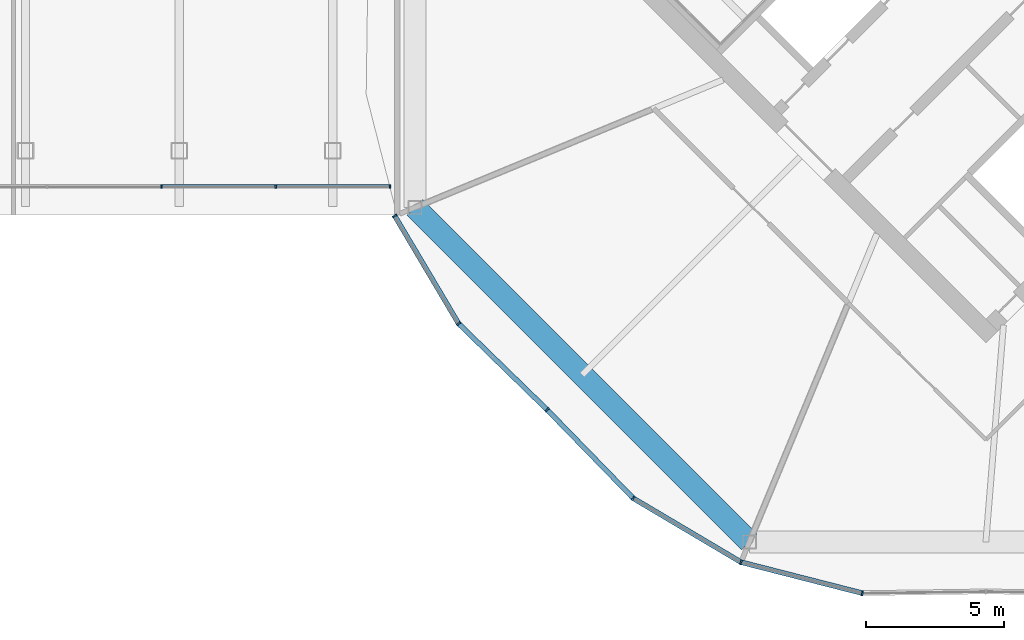
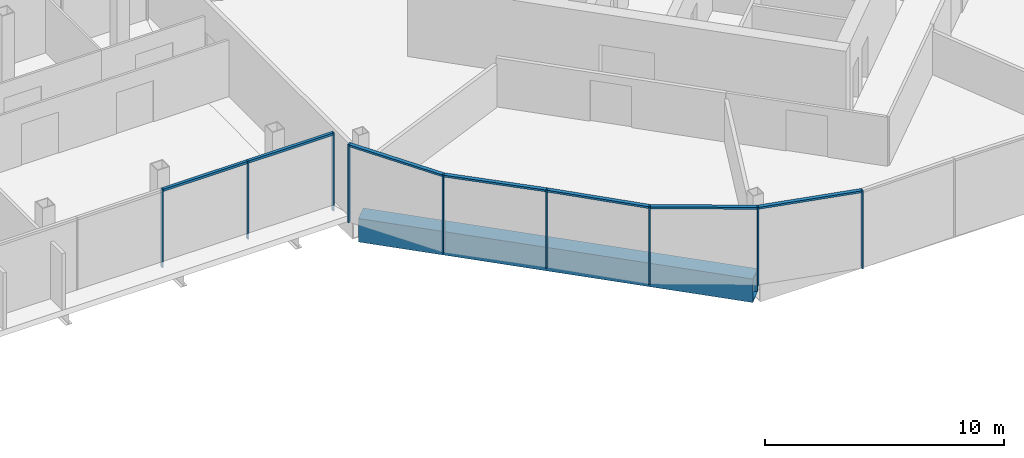
# One storey, part 11 of 26: 16 members, 1 beam, 3 elements without a shape of their own.
"""IFC4 building model written with IfcOpenShell, lengths in metres."""

from ifc_helpers import new_model, si_unit, direction, frame, origin, origin_2d, place, context, subcontext, project, spatial, rectangle, hollow_rectangle, extrude, material, material_profile, profile_set, type_object, element, aggregate, save


model = new_model("IFC4")

# Units and contexts
model_context = context("Model", 3, precision=1e-05, world=origin(), true_north=direction((0.0, 1.0)))
body_context = subcontext(model_context, "Body", "Model", "MODEL_VIEW")
ifc_project = project(units=[si_unit("LENGTHUNIT", "METRE"), si_unit("AREAUNIT", "SQUARE_METRE"), si_unit("VOLUMEUNIT", "CUBIC_METRE"), si_unit("PLANEANGLEUNIT", "RADIAN"), si_unit("MASSUNIT", "GRAM", prefix="KILO")], contexts=[model_context])

# Site, building, storey
site_placement = place(None, origin())
site = spatial("IfcSite", under=ifc_project, at=site_placement, CompositionType="ELEMENT")
building_placement = place(site_placement, origin())
building = spatial("IfcBuilding", under=site, at=building_placement, Name="Ogive Gate Towers", CompositionType="ELEMENT")
storey_placement = place(building_placement, frame((0.0, 0.0, 156.800048828125)))
storey = spatial("IfcBuildingStorey", under=building, at=storey_placement, Name="L37", CompositionType="ELEMENT", Elevation=156.800048828125)

# Beam
ifc_material_1 = material(Name="Steel SM460", Category="steel")
ifc_material_profile_1 = material_profile(ifc_material_1, hollow_rectangle(XDim=0.800048828125, YDim=1.199951171875, WallThickness=0.050048828125, at=origin_2d()), Name="BX 1200x800x50")
ifc_profile_set_1 = profile_set([ifc_material_profile_1], Name="Steel SM460")
beam_type = type_object("IfcBeamType", Name="Edge girder BX 1200x800x50", PredefinedType="BEAM", material=ifc_profile_set_1)
beam_placement = place(storey_placement, frame((15.360595703125, -8.549072265625, -0.900146484375), z_axis=(0.707106781187, -0.707106781187, 0.0), x_axis=(0.707106781187, 0.707106781187, 0.0)))
element("IfcBeam", 1, at=beam_placement, inside=storey, type_object=beam_type, Name="T2/L37/SBM017", PredefinedType="BEAM", context=body_context, shape_type="SweptSolid", body=[
    extrude(hollow_rectangle(XDim=0.800048828125, YDim=1.199951171875, WallThickness=0.050048828125, at=origin_2d()), origin(), (0.0, 0.0, 1.0), 17.098388671875),
])

# Curtain wall, members
ifc_material_2 = material(Name="Pale metal aluminium", Category="aluminium")
curtain_wall_type_1 = type_object("IfcCurtainWallType", Name="Gate block facade", PredefinedType="NOTDEFINED", material=ifc_material_2)
curtain_wall_1_placement = place(storey_placement, origin())
curtain_wall_1 = element("IfcCurtainWall", 2, at=curtain_wall_1_placement, inside=storey, type_object=curtain_wall_type_1, Name="CW3 BR ECW01", PredefinedType="NOTDEFINED")
ifc_material_profile_2 = material_profile(ifc_material_2, rectangle(XDim=0.139892578125, YDim=0.06005859375, at=origin_2d()), Name="60 x 140 aluminium box")
ifc_profile_set_2 = profile_set([ifc_material_profile_2], Name="Pale metal aluminium")
member_type_1 = type_object("IfcMemberType", Name="Gate block facade mullion 60 x 140", PredefinedType="MULLION", material=ifc_profile_set_2)
member_1_placement = place(storey_placement, frame((6.1962890625, -7.787109375, -0.300048828125), z_axis=(0.0, 0.0, 1.0), x_axis=(0.0, -1.0, 0.0)))
member_1 = element("IfcMember", 3, at=member_1_placement, type_object=member_type_1, Name="CW3 mullion", PredefinedType="MULLION", context=body_context, shape_type="SweptSolid", body=[
    extrude(rectangle(XDim=0.139892578125, YDim=0.06005859375, at=origin_2d()), origin(), (0.0, 0.0, 1.0), 4.0),
])
member_2_placement = place(storey_placement, frame((10.327392578125, -7.787109375, -0.300048828125), z_axis=(0.0, 0.0, 1.0), x_axis=(0.0, -1.0, 0.0)))
member_2 = element("IfcMember", 4, at=member_2_placement, type_object=member_type_1, Name="CW3 mullion", PredefinedType="MULLION", context=body_context, shape_type="SweptSolid", body=[
    extrude(rectangle(XDim=0.139892578125, YDim=0.06005859375, at=origin_2d()), origin(), (0.0, 0.0, 1.0), 4.0),
])
member_3_placement = place(storey_placement, frame((14.458251953125, -7.787109375, -0.300048828125), z_axis=(0.0, 0.0, 1.0), x_axis=(0.0, -1.0, 0.0)))
member_3 = element("IfcMember", 5, at=member_3_placement, type_object=member_type_1, Name="CW3 mullion", PredefinedType="MULLION", context=body_context, shape_type="SweptSolid", body=[
    extrude(rectangle(XDim=0.139892578125, YDim=0.06005859375, at=origin_2d()), origin(), (0.0, 0.0, 1.0), 4.0),
])
ifc_material_profile_3 = material_profile(ifc_material_2, rectangle(XDim=0.139892578125, YDim=0.1201171875, at=origin_2d()), Name="120 x 140 aluminium box")
ifc_profile_set_3 = profile_set([ifc_material_profile_3], Name="Pale metal aluminium")
member_type_2 = type_object("IfcMemberType", Name="Gate block facade transom 120 x 140", PredefinedType="USERDEFINED", material=ifc_profile_set_3)
member_4_placement = place(storey_placement, frame((6.226318359375, -7.787109375, 3.639892578125), z_axis=(1.0, 0.0, 0.0), x_axis=(0.0, 1.0, 0.0)))
member_4 = element("IfcMember", 6, at=member_4_placement, type_object=member_type_2, Name="CW3 transom", ObjectType="TRANSOM", PredefinedType="USERDEFINED", context=body_context, shape_type="SweptSolid", body=[
    extrude(rectangle(XDim=0.139892578125, YDim=0.1201171875, at=origin_2d()), origin(), (0.0, 0.0, 1.0), 4.071044921875),
])
member_5_placement = place(storey_placement, frame((10.357421875, -7.787109375, 3.639892578125), z_axis=(1.0, 0.0, 0.0), x_axis=(0.0, 1.0, 0.0)))
member_5 = element("IfcMember", 7, at=member_5_placement, type_object=member_type_2, Name="CW3 transom", ObjectType="TRANSOM", PredefinedType="USERDEFINED", context=body_context, shape_type="SweptSolid", body=[
    extrude(rectangle(XDim=0.139892578125, YDim=0.1201171875, at=origin_2d()), origin(), (0.0, 0.0, 1.0), 4.07080078125),
])
aggregate(curtain_wall_1, [member_1, member_2, member_4, member_3, member_5])

curtain_wall_type_2 = type_object("IfcCurtainWallType", Name="Tower unitised wall, high zone", PredefinedType="NOTDEFINED", material=ifc_material_2)
curtain_wall_2_placement = place(storey_placement, origin())
curtain_wall_2 = element("IfcCurtainWall", 8, at=curtain_wall_2_placement, inside=storey, type_object=curtain_wall_type_2, Name="CW2 T2 ECW05", PredefinedType="NOTDEFINED")
ifc_material_profile_4 = material_profile(ifc_material_2, rectangle(XDim=0.179931640625, YDim=0.06005859375, at=origin_2d()), Name="60 x 180 aluminium box")
ifc_profile_set_4 = profile_set([ifc_material_profile_4], Name="Pale metal aluminium")
member_type_3 = type_object("IfcMemberType", Name="Tower unitised wall, high zone mullion 60 x 180", PredefinedType="MULLION", material=ifc_profile_set_4)
member_6_placement = place(storey_placement, frame((14.629150390625, -8.8505859375, -0.300048828125), z_axis=(0.0, 0.0, 1.0), x_axis=(-0.860208488223, -0.509942503415, 0.0)))
member_6 = element("IfcMember", 9, at=member_6_placement, type_object=member_type_3, Name="CW2 mullion", PredefinedType="MULLION", context=body_context, shape_type="SweptSolid", body=[
    extrude(rectangle(XDim=0.179931640625, YDim=0.06005859375, at=origin_2d()), origin(), (0.0, 0.0, 1.0), 4.0),
])
member_7_placement = place(storey_placement, frame((16.93798828125, -12.745361328125, -0.300048828125), z_axis=(0.0, 0.0, 1.0), x_axis=(-0.785619383472, -0.618710097148, 0.0)))
member_7 = element("IfcMember", 10, at=member_7_placement, type_object=member_type_3, Name="CW2 mullion", PredefinedType="MULLION", context=body_context, shape_type="SweptSolid", body=[
    extrude(rectangle(XDim=0.179931640625, YDim=0.06005859375, at=origin_2d()), origin(), (0.0, 0.0, 1.0), 4.0),
])
member_8_placement = place(storey_placement, frame((20.139404296875, -15.8603515625, -0.300048828125), z_axis=(0.0, 0.0, 1.0), x_axis=(-0.697352765719, -0.716728065687, 0.0)))
member_8 = element("IfcMember", 11, at=member_8_placement, type_object=member_type_3, Name="CW2 mullion", PredefinedType="MULLION", context=body_context, shape_type="SweptSolid", body=[
    extrude(rectangle(XDim=0.179931640625, YDim=0.06005859375, at=origin_2d()), origin(), (0.0, 0.0, 1.0), 4.0),
])

curtain_wall_3_placement = place(storey_placement, origin())
curtain_wall_3 = element("IfcCurtainWall", 12, at=curtain_wall_3_placement, inside=storey, type_object=curtain_wall_type_2, Name="CW2 T2 ECW06", PredefinedType="NOTDEFINED")
member_9_placement = place(storey_placement, frame((23.254638671875, -19.06201171875, -0.300048828125), z_axis=(0.0, 0.0, 1.0), x_axis=(-0.618710097148, -0.785619383472, 0.0)))
member_9 = element("IfcMember", 13, at=member_9_placement, type_object=member_type_3, Name="CW2 mullion", PredefinedType="MULLION", context=body_context, shape_type="SweptSolid", body=[
    extrude(rectangle(XDim=0.179931640625, YDim=0.06005859375, at=origin_2d()), origin(), (0.0, 0.0, 1.0), 4.0),
])
member_10_placement = place(storey_placement, frame((27.148193359375, -21.370361328125, -0.300048828125), z_axis=(0.0, 0.0, 1.0), x_axis=(-0.382683432365, -0.923879532511, 0.0)))
member_10 = element("IfcMember", 14, at=member_10_placement, type_object=member_type_3, Name="CW2 mullion", PredefinedType="MULLION", context=body_context, shape_type="SweptSolid", body=[
    extrude(rectangle(XDim=0.179931640625, YDim=0.06005859375, at=origin_2d()), origin(), (0.0, 0.0, 1.0), 4.0),
])
member_11_placement = place(storey_placement, frame((31.533447265625, -22.491455078125, -0.300048828125), z_axis=(0.0, 0.0, 1.0), x_axis=(-0.118005356875, -0.9930129585, 0.0)))
member_11 = element("IfcMember", 15, at=member_11_placement, type_object=member_type_3, Name="CW2 mullion", PredefinedType="MULLION", context=body_context, shape_type="SweptSolid", body=[
    extrude(rectangle(XDim=0.179931640625, YDim=0.06005859375, at=origin_2d()), origin(), (0.0, 0.0, 1.0), 4.0),
])

# Member
ifc_material_profile_5 = material_profile(ifc_material_2, rectangle(XDim=0.179931640625, YDim=0.10009765625, at=origin_2d()), Name="100 x 180 aluminium box")
ifc_profile_set_5 = profile_set([ifc_material_profile_5], Name="Pale metal aluminium")
member_type_4 = type_object("IfcMemberType", Name="Tower unitised wall, high zone transom 100 x 180", PredefinedType="USERDEFINED", material=ifc_profile_set_5)
member_12_placement = place(storey_placement, frame((14.644287109375, -8.87646484375, 3.64990234375), z_axis=(0.50996560384, -0.860194793579, 0.0), x_axis=(0.860194793579, 0.50996560384, 0.0)))
member_12 = element("IfcMember", 16, at=member_12_placement, type_object=member_type_4, Name="CW2 transom", ObjectType="TRANSOM", PredefinedType="USERDEFINED", context=body_context, shape_type="SweptSolid", body=[
    extrude(rectangle(XDim=0.179931640625, YDim=0.10009765625, at=origin_2d()), origin(), (0.0, 0.0, 1.0), 4.468994140625),
])

member_13_placement = place(storey_placement, frame((16.95849609375, -12.765380859375, 3.64990234375), z_axis=(0.716732664318, -0.697348039288, 0.0), x_axis=(0.697348039288, 0.716732664318, 0.0)))
member_13 = element("IfcMember", 17, at=member_13_placement, type_object=member_type_4, Name="CW2 transom", ObjectType="TRANSOM", PredefinedType="USERDEFINED", context=body_context, shape_type="SweptSolid", body=[
    extrude(rectangle(XDim=0.179931640625, YDim=0.10009765625, at=origin_2d()), origin(), (0.0, 0.0, 1.0), 4.408203125),
])

aggregate(curtain_wall_2, [member_6, member_7, member_12, member_8, member_13])

member_14_placement = place(storey_placement, frame((20.16064453125, -15.882080078125, 3.64990234375), z_axis=(0.697348039288, -0.716732664318, 0.0), x_axis=(0.716732664318, 0.697348039288, 0.0)))
member_14 = element("IfcMember", 18, at=member_14_placement, type_object=member_type_4, Name="CW2 transom", ObjectType="TRANSOM", PredefinedType="USERDEFINED", context=body_context, shape_type="SweptSolid", body=[
    extrude(rectangle(XDim=0.179931640625, YDim=0.10009765625, at=origin_2d()), origin(), (0.0, 0.0, 1.0), 4.408203125),
])

member_15_placement = place(storey_placement, frame((23.279296875, -19.07666015625, 3.64990234375), z_axis=(0.860194793579, -0.50996560384, 0.0), x_axis=(0.50996560384, 0.860194793579, 0.0)))
member_15 = element("IfcMember", 19, at=member_15_placement, type_object=member_type_4, Name="CW2 transom", ObjectType="TRANSOM", PredefinedType="USERDEFINED", context=body_context, shape_type="SweptSolid", body=[
    extrude(rectangle(XDim=0.179931640625, YDim=0.10009765625, at=origin_2d()), origin(), (0.0, 0.0, 1.0), 4.468994140625),
])

member_16_placement = place(storey_placement, frame((27.17578125, -21.377197265625, 3.64990234375), z_axis=(0.968840212486, -0.247686581529, 0.0), x_axis=(0.247686581529, 0.968840212486, 0.0)))
member_16 = element("IfcMember", 20, at=member_16_placement, type_object=member_type_4, Name="CW2 transom", ObjectType="TRANSOM", PredefinedType="USERDEFINED", context=body_context, shape_type="SweptSolid", body=[
    extrude(rectangle(XDim=0.179931640625, YDim=0.10009765625, at=origin_2d()), origin(), (0.0, 0.0, 1.0), 4.468994140625),
])

aggregate(curtain_wall_3, [member_9, member_14, member_10, member_15, member_11, member_16])

save(model, "model.ifc")
